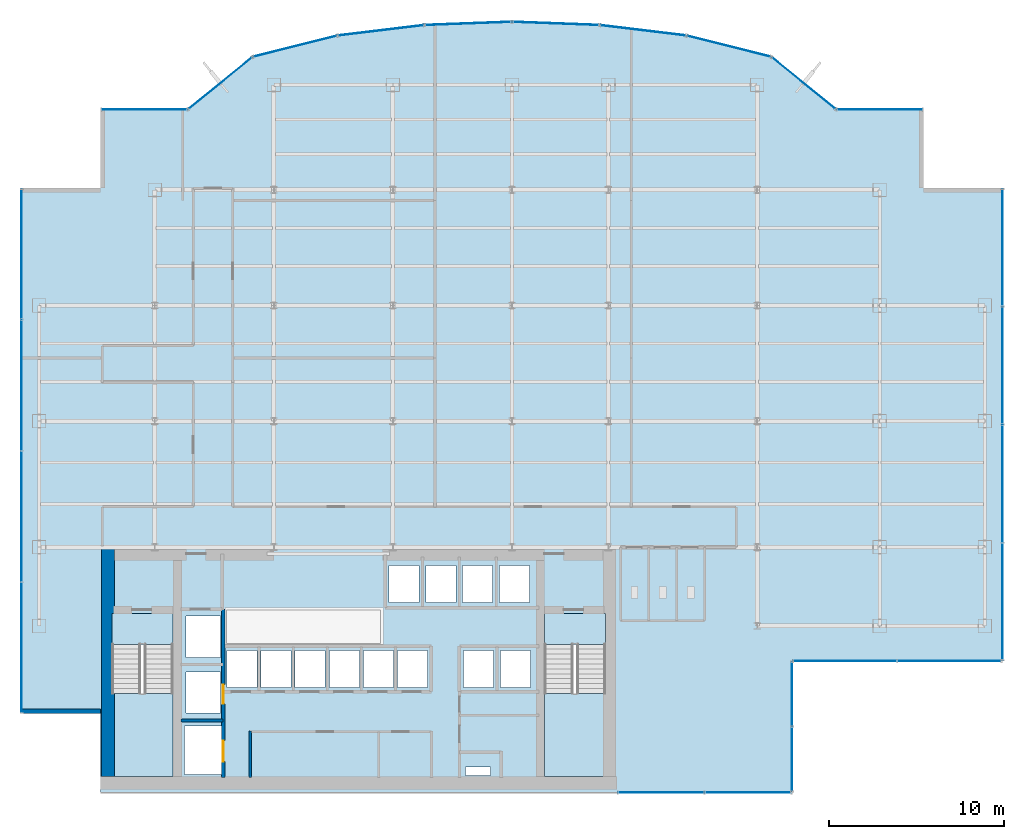
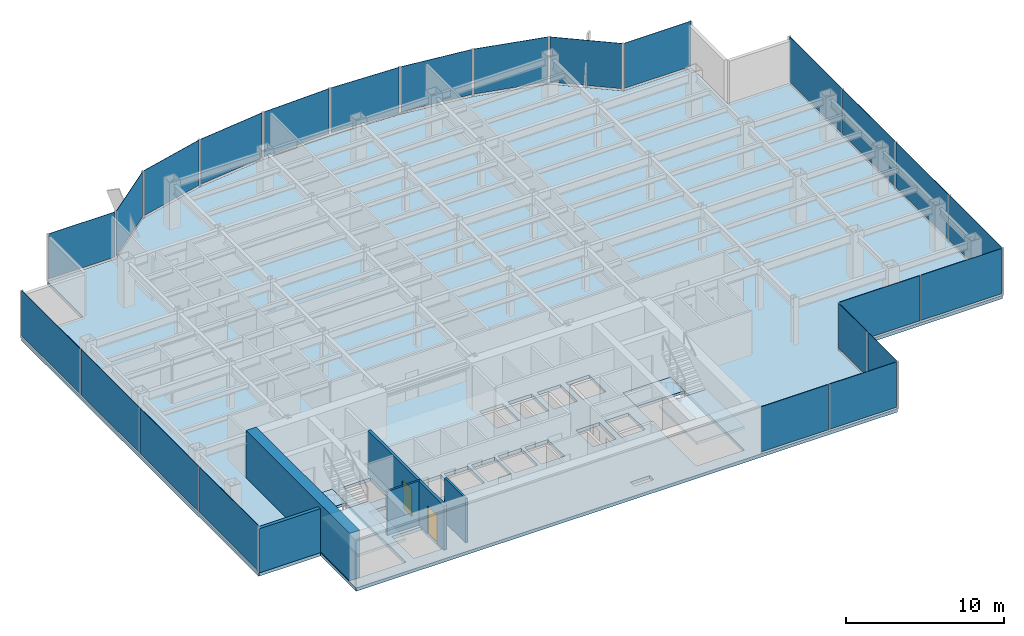
# One storey, part 20 of 26: 24 plates, 5 slabs, 5 walls, 2 doors, 2 openings, 17 elements without a shape of their own.
"""IFC4 building model written with IfcOpenShell, lengths in metres."""

from ifc_helpers import new_model, si_unit, derived_unit, direction, frame, frame_2d, origin, origin_2d, place, context, subcontext, project, spatial, polyline, rectangle, outline, extrude, source, transform, mapped, material, layer, layer_set, type_object, element, fill, aggregate, save


model = new_model("IFC4")

# Units and contexts
model_context = context("Model", 3, precision=1e-05, world=origin(), true_north=direction((0.0, 1.0)))
body_context = subcontext(model_context, "Body", "Model", "MODEL_VIEW")
ifc_project = project(units=[si_unit("LENGTHUNIT", "METRE"), si_unit("AREAUNIT", "SQUARE_METRE"), si_unit("VOLUMEUNIT", "CUBIC_METRE"), si_unit("PLANEANGLEUNIT", "RADIAN"), si_unit("MASSUNIT", "GRAM", prefix="KILO"), derived_unit("THERMALTRANSMITTANCEUNIT", [(si_unit("POWERUNIT", "WATT"), 1), (si_unit("LENGTHUNIT", "METRE"), -2), (si_unit("THERMODYNAMICTEMPERATUREUNIT", "KELVIN"), -1)])], contexts=[model_context])

# Site, building, storey
site_placement = place(None, origin())
site = spatial("IfcSite", under=ifc_project, at=site_placement, CompositionType="ELEMENT")
building_placement = place(site_placement, origin())
building = spatial("IfcBuilding", under=site, at=building_placement, Name="Skarnbrae Concourse Arena and Tower", CompositionType="ELEMENT")
storey_placement = place(building_placement, frame((0.0, 0.0, 106.89990234375)))
storey = spatial("IfcBuildingStorey", under=building, at=storey_placement, Name="L26", CompositionType="ELEMENT", Elevation=106.89990234375)

# Stair, slab
ifc_material_1 = material(Name="Concrete 40 MPa (C40/50)", Category="concrete")
stair_type = type_object("IfcStairType", Name="STAIR-DOGLEG-1650", PredefinedType="HALF_TURN_STAIR", material=ifc_material_1)
stair_1_placement = place(storey_placement, origin())
stair_1 = element("IfcStair", 1, at=stair_1_placement, inside=storey, type_object=stair_type, Name="L26 Protected Exit Stair ST-1", PredefinedType="HALF_TURN_STAIR")
ifc_layer_1 = layer(ifc_material_1, 0.199951171875)
ifc_layer_set_1 = layer_set([ifc_layer_1], Name="Concrete 40 MPa (C40/50)")
slab_type_1 = type_object("IfcSlabType", Name="SLAB-LANDING-200", PredefinedType="LANDING", material=ifc_layer_set_1)
slab_1_placement = place(storey_placement, frame((0.0, 0.0, 1.625)))
slab_1 = element("IfcSlab", 2, at=slab_1_placement, type_object=slab_type_1, Name="ST-1 landing 1", PredefinedType="LANDING", context=body_context, shape_type="SweptSolid", body=[
    extrude(outline(polyline([(5.14990234375, 5.64990234375), (5.14990234375, 0.89990234375), (8.64990234375, 0.89990234375), (8.64990234375, 5.64990234375), (5.14990234375, 5.64990234375)])), origin(), (0.0, 0.0, 1.0), 0.2001953125),
])
aggregate(stair_1, [slab_1])

stair_2_placement = place(storey_placement, origin())
stair_2 = element("IfcStair", 3, at=stair_2_placement, inside=storey, type_object=stair_type, Name="L26 Protected Exit Stair ST-2", PredefinedType="HALF_TURN_STAIR")
slab_2_placement = place(storey_placement, frame((0.0, 0.0, 1.625)))
slab_2 = element("IfcSlab", 4, at=slab_2_placement, type_object=slab_type_1, Name="ST-2 landing 1", PredefinedType="LANDING", context=body_context, shape_type="SweptSolid", body=[
    extrude(outline(polyline([(29.85009765625, 5.64990234375), (29.85009765625, 0.89990234375), (33.35009765625, 0.89990234375), (33.35009765625, 5.64990234375), (29.85009765625, 5.64990234375)])), origin(), (0.0, 0.0, 1.0), 0.2001953125),
])
aggregate(stair_2, [slab_2])

# Slabs
slab_3_placement = place(storey_placement, frame((0.0, 0.0, -0.199951171875)))
element("IfcSlab", 5, at=slab_3_placement, inside=storey, type_object=slab_type_1, Name="L26 Core stair ST1 floor landing", PredefinedType="LANDING", context=body_context, shape_type="SweptSolid", body=[
    extrude(outline(polyline([(5.14990234375, 10.199951171875), (5.14990234375, 8.449951171875), (8.64990234375, 8.449951171875), (8.64990234375, 10.199951171875), (5.14990234375, 10.199951171875)])), origin(), (0.0, 0.0, 1.0), 0.199951171875),
])
slab_4_placement = place(storey_placement, frame((0.0, 0.0, -0.199951171875)))
element("IfcSlab", 6, at=slab_4_placement, inside=storey, type_object=slab_type_1, Name="L26 Core stair ST2 floor landing", PredefinedType="LANDING", context=body_context, shape_type="SweptSolid", body=[
    extrude(outline(polyline([(29.85009765625, 10.199951171875), (29.85009765625, 8.449951171875), (33.35009765625, 8.449951171875), (33.35009765625, 10.199951171875), (29.85009765625, 10.199951171875)])), origin(), (0.0, 0.0, 1.0), 0.199951171875),
])
ifc_layer_2 = layer(ifc_material_1, 0.25)
ifc_layer_set_2 = layer_set([ifc_layer_2], Name="Concrete 40 MPa (C40/50)")
slab_type_2 = type_object("IfcSlabType", Name="SLAB-TOWER-250", PredefinedType="FLOOR", material=ifc_layer_set_2)
slab_5_placement = place(storey_placement, frame((0.0, 0.0, -0.25)))
element("IfcSlab", 7, at=slab_5_placement, inside=storey, type_object=slab_type_2, Name="L26 Structural floor slab", PredefinedType="FLOOR", context=body_context, shape_type="SweptSolid", body=[
    extrude(outline(polyline([(4.5, 0.0), (44.0, 0.0), (44.0, 7.5), (56.0, 7.5), (56.0, 34.5), (51.5, 34.5), (51.5, 39.0), (46.5, 39.0), (42.81103515625, 41.99609375), (37.964111328125, 43.212890625), (32.998779296875, 43.81396484375), (28.0, 44.0), (23.001220703125, 43.81396484375), (18.035888671875, 43.212890625), (13.18896484375, 41.99609375), (9.5, 39.0), (4.5, 39.0), (4.5, 34.5), (0.0, 34.5), (0.0, 4.5), (4.5, 4.5), (4.5, 0.0)]), holes=[polyline([(9.294921875, 3.780029296875), (11.455078125, 3.780029296875), (11.455078125, 1.02001953125), (9.294921875, 1.02001953125), (9.294921875, 3.780029296875)]), polyline([(8.64990234375, 10.199951171875), (8.64990234375, 0.89990234375), (5.14990234375, 0.89990234375), (5.14990234375, 10.199951171875), (8.64990234375, 10.199951171875)]), polyline([(9.39501953125, 6.8798828125), (11.35498046875, 6.8798828125), (11.35498046875, 4.52001953125), (9.39501953125, 4.52001953125), (9.39501953125, 6.8798828125)]), polyline([(11.719970703125, 8.10498046875), (13.429931640625, 8.10498046875), (13.429931640625, 5.9951171875), (11.719970703125, 5.9951171875), (11.719970703125, 8.10498046875)]), polyline([(13.669921875, 8.10498046875), (15.3798828125, 8.10498046875), (15.3798828125, 5.9951171875), (13.669921875, 5.9951171875), (13.669921875, 8.10498046875)]), polyline([(15.6201171875, 8.10498046875), (17.330078125, 8.10498046875), (17.330078125, 5.9951171875), (15.6201171875, 5.9951171875), (15.6201171875, 8.10498046875)]), polyline([(17.570068359375, 8.10498046875), (19.280029296875, 8.10498046875), (19.280029296875, 5.9951171875), (17.570068359375, 5.9951171875), (17.570068359375, 8.10498046875)]), polyline([(21.22998046875, 8.10498046875), (21.22998046875, 5.9951171875), (19.52001953125, 5.9951171875), (19.52001953125, 8.10498046875), (21.22998046875, 8.10498046875)]), polyline([(11.35498046875, 10.054931640625), (11.35498046875, 7.695068359375), (9.39501953125, 7.695068359375), (9.39501953125, 10.054931640625), (11.35498046875, 10.054931640625)]), polyline([(25.35009765625, 1.449951171875), (26.760009765625, 1.449951171875), (26.760009765625, 0.949951171875), (25.35009765625, 0.949951171875), (25.35009765625, 1.449951171875)]), polyline([(33.35009765625, 10.199951171875), (33.35009765625, 0.89990234375), (29.85009765625, 0.89990234375), (29.85009765625, 10.199951171875), (33.35009765625, 10.199951171875)]), polyline([(21.469970703125, 8.10498046875), (23.179931640625, 8.10498046875), (23.179931640625, 5.9951171875), (21.469970703125, 5.9951171875), (21.469970703125, 8.10498046875)]), polyline([(25.235107421875, 8.10498046875), (26.945068359375, 8.10498046875), (26.945068359375, 5.9951171875), (25.235107421875, 5.9951171875), (25.235107421875, 8.10498046875)]), polyline([(27.3349609375, 8.10498046875), (29.044921875, 8.10498046875), (29.044921875, 5.9951171875), (27.3349609375, 5.9951171875), (27.3349609375, 8.10498046875)]), polyline([(20.985107421875, 12.955078125), (22.695068359375, 12.955078125), (22.695068359375, 10.844970703125), (20.985107421875, 10.844970703125), (20.985107421875, 12.955078125)]), polyline([(23.0849609375, 12.955078125), (24.794921875, 12.955078125), (24.794921875, 10.844970703125), (23.0849609375, 10.844970703125), (23.0849609375, 12.955078125)]), polyline([(26.89501953125, 12.955078125), (26.89501953125, 10.844970703125), (25.18505859375, 10.844970703125), (25.18505859375, 12.955078125), (26.89501953125, 12.955078125)]), polyline([(28.9951171875, 12.955078125), (28.9951171875, 10.844970703125), (27.284912109375, 10.844970703125), (27.284912109375, 12.955078125), (28.9951171875, 12.955078125)])]), origin(), (0.0, 0.0, 1.0), 0.25),
])

# Curtain wall, plates
ifc_material_2 = material(Name="Bronze anodised aluminium 6063-T6", Category="aluminium")
curtain_wall_type_1 = type_object("IfcCurtainWallType", Name="CW-SYS-04-MIDZONE", PredefinedType="USERDEFINED", material=ifc_material_2)
curtain_wall_1_placement = place(storey_placement, origin())
curtain_wall_1 = element("IfcCurtainWall", 8, at=curtain_wall_1_placement, inside=storey, type_object=curtain_wall_type_1, Name="L26 Unitised curtain wall CW-L26-SE-SPINE", ObjectType="UNITISED CURTAIN WALL", PredefinedType="USERDEFINED")
ifc_material_3 = material(Name="Low-E triple insulating glass", Category="glass")
ifc_layer_3 = layer(ifc_material_3, 0.031982421875)
ifc_layer_set_3 = layer_set([ifc_layer_3], Name="Low-E triple insulating glass")
plate_type_1 = type_object("IfcPlateType", Name="CWP-CW-04", PredefinedType="CURTAIN_PANEL", material=ifc_layer_set_3)
shared_shape_1 = source(origin(), body_context, "Body", "SweptSolid", [
    extrude(rectangle(XDim=4.887451171875, YDim=0.031982421875, at=origin_2d()), origin(), (0.0, 0.0, 1.0), 3.489990234375),
])
plate_1_placement = place(storey_placement, frame((36.518798828125, 0.0, 0.16015625), z_axis=(0.0, 0.0, 1.0), x_axis=(1.0, 0.0, 0.0)))
plate_1 = element("IfcPlate", 9, at=plate_1_placement, type_object=plate_type_1, Name="CW-L26-SE-SPINE Low-E Glazing Panel 1", PredefinedType="CURTAIN_PANEL", context=body_context, shape_type="MappedRepresentation", body=[
    mapped(shared_shape_1, transform((0.0, 0.0, 0.0))),
])
plate_2_placement = place(storey_placement, frame((41.481201171875, 0.0, 0.16015625), z_axis=(0.0, 0.0, 1.0), x_axis=(1.0, 0.0, 0.0)))
plate_2 = element("IfcPlate", 10, at=plate_2_placement, type_object=plate_type_1, Name="CW-L26-SE-SPINE Low-E Glazing Panel 2", PredefinedType="CURTAIN_PANEL", context=body_context, shape_type="MappedRepresentation", body=[
    mapped(shared_shape_1, transform((0.0, 0.0, 0.0))),
])
aggregate(curtain_wall_1, [plate_1, plate_2])

curtain_wall_2_placement = place(storey_placement, origin())
curtain_wall_2 = element("IfcCurtainWall", 11, at=curtain_wall_2_placement, inside=storey, type_object=curtain_wall_type_1, Name="L26 Unitised curtain wall CW-L26-E02", ObjectType="UNITISED CURTAIN WALL", PredefinedType="USERDEFINED")
shared_shape_2 = source(origin(), body_context, "Body", "SweptSolid", [
    extrude(rectangle(XDim=3.637451171875, YDim=0.031982421875, at=origin_2d()), origin(), (0.0, 0.0, 1.0), 3.489990234375),
])
plate_3_placement = place(storey_placement, frame((44.0, 1.893798828125, 0.16015625), z_axis=(0.0, 0.0, 1.0), x_axis=(0.0, 1.0, 0.0)))
plate_3 = element("IfcPlate", 12, at=plate_3_placement, type_object=plate_type_1, Name="CW-L26-E02 Low-E Glazing Panel 1", PredefinedType="CURTAIN_PANEL", context=body_context, shape_type="MappedRepresentation", body=[
    mapped(shared_shape_2, transform((0.0, 0.0, 0.0))),
])
plate_4_placement = place(storey_placement, frame((44.0, 5.606201171875, 0.16015625), z_axis=(0.0, 0.0, 1.0), x_axis=(0.0, 1.0, 0.0)))
plate_4 = element("IfcPlate", 13, at=plate_4_placement, type_object=plate_type_1, Name="CW-L26-E02 Low-E Glazing Panel 2", PredefinedType="CURTAIN_PANEL", context=body_context, shape_type="MappedRepresentation", body=[
    mapped(shared_shape_2, transform((0.0, 0.0, 0.0))),
])
aggregate(curtain_wall_2, [plate_3, plate_4])

curtain_wall_3_placement = place(storey_placement, origin())
curtain_wall_3 = element("IfcCurtainWall", 14, at=curtain_wall_3_placement, inside=storey, type_object=curtain_wall_type_1, Name="L26 Unitised curtain wall CW-L26-E03", ObjectType="UNITISED CURTAIN WALL", PredefinedType="USERDEFINED")
shared_shape_3 = source(origin(), body_context, "Body", "SweptSolid", [
    extrude(rectangle(XDim=5.887451171875, YDim=0.031982421875, at=origin_2d()), origin(), (0.0, 0.0, 1.0), 3.489990234375),
])
plate_5_placement = place(storey_placement, frame((47.018798828125, 7.5, 0.16015625), z_axis=(0.0, 0.0, 1.0), x_axis=(1.0, 0.0, 0.0)))
plate_5 = element("IfcPlate", 15, at=plate_5_placement, type_object=plate_type_1, Name="CW-L26-E03 Low-E Glazing Panel 1", PredefinedType="CURTAIN_PANEL", context=body_context, shape_type="MappedRepresentation", body=[
    mapped(shared_shape_3, transform((0.0, 0.0, 0.0))),
])
plate_6_placement = place(storey_placement, frame((52.981201171875, 7.5, 0.16015625), z_axis=(0.0, 0.0, 1.0), x_axis=(1.0, 0.0, 0.0)))
plate_6 = element("IfcPlate", 16, at=plate_6_placement, type_object=plate_type_1, Name="CW-L26-E03 Low-E Glazing Panel 2", PredefinedType="CURTAIN_PANEL", context=body_context, shape_type="MappedRepresentation", body=[
    mapped(shared_shape_3, transform((0.0, 0.0, 0.0))),
])
aggregate(curtain_wall_3, [plate_5, plate_6])

# Curtain wall, plate
curtain_wall_4_placement = place(storey_placement, origin())
curtain_wall_4 = element("IfcCurtainWall", 17, at=curtain_wall_4_placement, inside=storey, type_object=curtain_wall_type_1, Name="L26 Unitised curtain wall CW-L26-E07", ObjectType="UNITISED CURTAIN WALL", PredefinedType="USERDEFINED")
shared_shape_4 = source(origin(), body_context, "Body", "SweptSolid", [
    extrude(rectangle(XDim=4.85009765625, YDim=0.031982421875, at=origin_2d()), origin(), (0.0, 0.0, 1.0), 3.489990234375),
])
plate_7_placement = place(storey_placement, frame((49.0, 39.0, 0.16015625), z_axis=(0.0, 0.0, 1.0), x_axis=(-1.0, 0.0, 0.0)))
plate_7 = element("IfcPlate", 18, at=plate_7_placement, type_object=plate_type_1, Name="CW-L26-E07 Low-E Glazing Panel 1", PredefinedType="CURTAIN_PANEL", context=body_context, shape_type="MappedRepresentation", body=[
    mapped(shared_shape_4, transform((0.0, 0.0, 0.0))),
])
aggregate(curtain_wall_4, [plate_7])

curtain_wall_5_placement = place(storey_placement, origin())
curtain_wall_5 = element("IfcCurtainWall", 19, at=curtain_wall_5_placement, inside=storey, type_object=curtain_wall_type_1, Name="L26 Unitised curtain wall CW-L26-E16", ObjectType="UNITISED CURTAIN WALL", PredefinedType="USERDEFINED")
plate_8_placement = place(storey_placement, frame((7.0, 39.0, 0.16015625), z_axis=(0.0, 0.0, 1.0), x_axis=(-1.0, 0.0, 0.0)))
plate_8 = element("IfcPlate", 20, at=plate_8_placement, type_object=plate_type_1, Name="CW-L26-E16 Low-E Glazing Panel 1", PredefinedType="CURTAIN_PANEL", context=body_context, shape_type="MappedRepresentation", body=[
    mapped(shared_shape_4, transform((0.0, 0.0, 0.0))),
])
aggregate(curtain_wall_5, [plate_8])

curtain_wall_6_placement = place(storey_placement, origin())
curtain_wall_6 = element("IfcCurtainWall", 21, at=curtain_wall_6_placement, inside=storey, type_object=curtain_wall_type_1, Name="L26 Unitised curtain wall CW-L26-E08", ObjectType="UNITISED CURTAIN WALL", PredefinedType="USERDEFINED")
shared_shape_5 = source(origin(), body_context, "Body", "SweptSolid", [
    extrude(rectangle(XDim=4.602294921875, YDim=0.031982421875, at=origin_2d()), origin(), (0.0, 0.0, 1.0), 3.489990234375),
])
plate_9_placement = place(storey_placement, frame((44.655517578125, 40.498046875, 0.16015625), z_axis=(0.0, 0.0, 1.0), x_axis=(-0.776241200471, 0.630436038542, 0.0)))
plate_9 = element("IfcPlate", 22, at=plate_9_placement, type_object=plate_type_1, Name="CW-L26-E08 Low-E Glazing Panel 1", PredefinedType="CURTAIN_PANEL", context=body_context, shape_type="MappedRepresentation", body=[
    mapped(shared_shape_5, transform((0.0, 0.0, 0.0))),
])
aggregate(curtain_wall_6, [plate_9])

curtain_wall_7_placement = place(storey_placement, origin())
curtain_wall_7 = element("IfcCurtainWall", 23, at=curtain_wall_7_placement, inside=storey, type_object=curtain_wall_type_1, Name="L26 Unitised curtain wall CW-L26-E15", ObjectType="UNITISED CURTAIN WALL", PredefinedType="USERDEFINED")
plate_10_placement = place(storey_placement, frame((11.344482421875, 40.498046875, 0.16015625), z_axis=(0.0, 0.0, 1.0), x_axis=(-0.776241200471, -0.630436038542, 0.0)))
plate_10 = element("IfcPlate", 24, at=plate_10_placement, type_object=plate_type_1, Name="CW-L26-E15 Low-E Glazing Panel 1", PredefinedType="CURTAIN_PANEL", context=body_context, shape_type="MappedRepresentation", body=[
    mapped(shared_shape_5, transform((0.0, 0.0, 0.0))),
])
aggregate(curtain_wall_7, [plate_10])

# Curtain wall, plates
curtain_wall_8_placement = place(storey_placement, origin())
curtain_wall_8 = element("IfcCurtainWall", 25, at=curtain_wall_8_placement, inside=storey, type_object=curtain_wall_type_1, Name="L26 Unitised curtain wall CW-L26-E19", ObjectType="UNITISED CURTAIN WALL", PredefinedType="USERDEFINED")
shared_shape_6 = source(origin(), body_context, "Body", "SweptSolid", [
    extrude(rectangle(XDim=7.387451171875, YDim=0.031982421875, at=origin_2d()), origin(), (0.0, 0.0, 1.0), 3.489990234375),
])
plate_11_placement = place(storey_placement, frame((0.0, 30.731201171875, 0.16015625), z_axis=(0.0, 0.0, 1.0), x_axis=(0.0, -1.0, 0.0)))
plate_11 = element("IfcPlate", 26, at=plate_11_placement, type_object=plate_type_1, Name="CW-L26-E19 Low-E Glazing Panel 1", PredefinedType="CURTAIN_PANEL", context=body_context, shape_type="MappedRepresentation", body=[
    mapped(shared_shape_6, transform((0.0, 0.0, 0.0))),
])
plate_12_placement = place(storey_placement, frame((0.0, 8.268798828125, 0.16015625), z_axis=(0.0, 0.0, 1.0), x_axis=(0.0, -1.0, 0.0)))
plate_12 = element("IfcPlate", 27, at=plate_12_placement, type_object=plate_type_1, Name="CW-L26-E19 Low-E Glazing Panel 4", PredefinedType="CURTAIN_PANEL", context=body_context, shape_type="MappedRepresentation", body=[
    mapped(shared_shape_6, transform((0.0, 0.0, 0.0))),
])
shared_shape_7 = source(origin(), body_context, "Body", "SweptSolid", [
    extrude(rectangle(XDim=7.425048828125, YDim=0.031982421875, at=origin_2d()), origin(), (0.0, 0.0, 1.0), 3.489990234375),
])
plate_13_placement = place(storey_placement, frame((0.0, 23.25, 0.16015625), z_axis=(0.0, 0.0, 1.0), x_axis=(0.0, -1.0, 0.0)))
plate_13 = element("IfcPlate", 28, at=plate_13_placement, type_object=plate_type_1, Name="CW-L26-E19 Low-E Glazing Panel 2", PredefinedType="CURTAIN_PANEL", context=body_context, shape_type="MappedRepresentation", body=[
    mapped(shared_shape_7, transform((0.0, 0.0, 0.0))),
])
plate_14_placement = place(storey_placement, frame((0.0, 15.75, 0.16015625), z_axis=(0.0, 0.0, 1.0), x_axis=(0.0, -1.0, 0.0)))
plate_14 = element("IfcPlate", 29, at=plate_14_placement, type_object=plate_type_1, Name="CW-L26-E19 Low-E Glazing Panel 3", PredefinedType="CURTAIN_PANEL", context=body_context, shape_type="MappedRepresentation", body=[
    mapped(shared_shape_7, transform((0.0, 0.0, 0.0))),
])
aggregate(curtain_wall_8, [plate_11, plate_13, plate_14, plate_12])

curtain_wall_9_placement = place(storey_placement, origin())
curtain_wall_9 = element("IfcCurtainWall", 30, at=curtain_wall_9_placement, inside=storey, type_object=curtain_wall_type_1, Name="L26 Unitised curtain wall CW-L26-E04", ObjectType="UNITISED CURTAIN WALL", PredefinedType="USERDEFINED")
shared_shape_8 = source(origin(), body_context, "Body", "SweptSolid", [
    extrude(rectangle(XDim=6.637451171875, YDim=0.031982421875, at=origin_2d()), origin(), (0.0, 0.0, 1.0), 3.489990234375),
])
plate_15_placement = place(storey_placement, frame((56.0, 10.893798828125, 0.16015625), z_axis=(0.0, 0.0, 1.0), x_axis=(0.0, 1.0, 0.0)))
plate_15 = element("IfcPlate", 31, at=plate_15_placement, type_object=plate_type_1, Name="CW-L26-E04 Low-E Glazing Panel 1", PredefinedType="CURTAIN_PANEL", context=body_context, shape_type="MappedRepresentation", body=[
    mapped(shared_shape_8, transform((0.0, 0.0, 0.0))),
])
plate_16_placement = place(storey_placement, frame((56.0, 31.106201171875, 0.16015625), z_axis=(0.0, 0.0, 1.0), x_axis=(0.0, 1.0, 0.0)))
plate_16 = element("IfcPlate", 32, at=plate_16_placement, type_object=plate_type_1, Name="CW-L26-E04 Low-E Glazing Panel 4", PredefinedType="CURTAIN_PANEL", context=body_context, shape_type="MappedRepresentation", body=[
    mapped(shared_shape_8, transform((0.0, 0.0, 0.0))),
])
shared_shape_9 = source(origin(), body_context, "Body", "SweptSolid", [
    extrude(rectangle(XDim=6.675048828125, YDim=0.031982421875, at=origin_2d()), origin(), (0.0, 0.0, 1.0), 3.489990234375),
])
plate_17_placement = place(storey_placement, frame((56.0, 17.625, 0.16015625), z_axis=(0.0, 0.0, 1.0), x_axis=(0.0, 1.0, 0.0)))
plate_17 = element("IfcPlate", 33, at=plate_17_placement, type_object=plate_type_1, Name="CW-L26-E04 Low-E Glazing Panel 2", PredefinedType="CURTAIN_PANEL", context=body_context, shape_type="MappedRepresentation", body=[
    mapped(shared_shape_9, transform((0.0, 0.0, 0.0))),
])
plate_18_placement = place(storey_placement, frame((56.0, 24.375, 0.16015625), z_axis=(0.0, 0.0, 1.0), x_axis=(0.0, 1.0, 0.0)))
plate_18 = element("IfcPlate", 34, at=plate_18_placement, type_object=plate_type_1, Name="CW-L26-E04 Low-E Glazing Panel 3", PredefinedType="CURTAIN_PANEL", context=body_context, shape_type="MappedRepresentation", body=[
    mapped(shared_shape_9, transform((0.0, 0.0, 0.0))),
])
aggregate(curtain_wall_9, [plate_15, plate_17, plate_18, plate_16])

# Curtain wall, plate
curtain_wall_type_2 = type_object("IfcCurtainWallType", Name="CW-SYS-03-PORTAL", PredefinedType="USERDEFINED", material=ifc_material_2)
curtain_wall_10_placement = place(storey_placement, origin())
curtain_wall_10 = element("IfcCurtainWall", 35, at=curtain_wall_10_placement, inside=storey, type_object=curtain_wall_type_2, Name="L26 Unitised curtain wall CW-L26-E09", ObjectType="UNITISED CURTAIN WALL", PredefinedType="USERDEFINED")
ifc_layer_4 = layer(ifc_material_3, 0.033935546875)
ifc_layer_set_4 = layer_set([ifc_layer_4], Name="Low-E triple insulating glass")
plate_type_2 = type_object("IfcPlateType", Name="CWP-CW-03", PredefinedType="CURTAIN_PANEL", material=ifc_layer_set_4)
shared_shape_10 = source(origin(), body_context, "Body", "SweptSolid", [
    extrude(rectangle(XDim=4.83740234375, YDim=0.033935546875, at=origin_2d()), origin(), (0.0, 0.0, 1.0), 3.47998046875),
])
plate_19_placement = place(storey_placement, frame((40.3876953125, 42.6044921875, 0.170166015625), z_axis=(0.0, 0.0, 1.0), x_axis=(-0.969903046166, 0.243491439351, 0.0)))
plate_19 = element("IfcPlate", 36, at=plate_19_placement, type_object=plate_type_2, Name="CW-L26-E09 Low-E Glazing Panel 1", PredefinedType="CURTAIN_PANEL", context=body_context, shape_type="MappedRepresentation", body=[
    mapped(shared_shape_10, transform((0.0, 0.0, 0.0))),
])
aggregate(curtain_wall_10, [plate_19])

curtain_wall_11_placement = place(storey_placement, origin())
curtain_wall_11 = element("IfcCurtainWall", 37, at=curtain_wall_11_placement, inside=storey, type_object=curtain_wall_type_2, Name="L26 Unitised curtain wall CW-L26-E14", ObjectType="UNITISED CURTAIN WALL", PredefinedType="USERDEFINED")
plate_20_placement = place(storey_placement, frame((15.6123046875, 42.6044921875, 0.170166015625), z_axis=(0.0, 0.0, 1.0), x_axis=(-0.969903046166, -0.243491439351, 0.0)))
plate_20 = element("IfcPlate", 38, at=plate_20_placement, type_object=plate_type_2, Name="CW-L26-E14 Low-E Glazing Panel 1", PredefinedType="CURTAIN_PANEL", context=body_context, shape_type="MappedRepresentation", body=[
    mapped(shared_shape_10, transform((0.0, 0.0, 0.0))),
])
aggregate(curtain_wall_11, [plate_20])

curtain_wall_12_placement = place(storey_placement, origin())
curtain_wall_12 = element("IfcCurtainWall", 39, at=curtain_wall_12_placement, inside=storey, type_object=curtain_wall_type_2, Name="L26 Unitised curtain wall CW-L26-E10", ObjectType="UNITISED CURTAIN WALL", PredefinedType="USERDEFINED")
shared_shape_11 = source(origin(), body_context, "Body", "SweptSolid", [
    extrude(rectangle(XDim=4.841552734375, YDim=0.033935546875, at=origin_2d()), origin(), (0.0, 0.0, 1.0), 3.47998046875),
])
plate_21_placement = place(storey_placement, frame((35.4814453125, 43.513427734375, 0.170166015625), z_axis=(0.0, 0.0, 1.0), x_axis=(-0.992749371969, 0.120202680731, 0.0)))
plate_21 = element("IfcPlate", 40, at=plate_21_placement, type_object=plate_type_2, Name="CW-L26-E10 Low-E Glazing Panel 1", PredefinedType="CURTAIN_PANEL", context=body_context, shape_type="MappedRepresentation", body=[
    mapped(shared_shape_11, transform((0.0, 0.0, 0.0))),
])
aggregate(curtain_wall_12, [plate_21])

curtain_wall_13_placement = place(storey_placement, origin())
curtain_wall_13 = element("IfcCurtainWall", 41, at=curtain_wall_13_placement, inside=storey, type_object=curtain_wall_type_2, Name="L26 Unitised curtain wall CW-L26-E13", ObjectType="UNITISED CURTAIN WALL", PredefinedType="USERDEFINED")
plate_22_placement = place(storey_placement, frame((20.5185546875, 43.513427734375, 0.170166015625), z_axis=(0.0, 0.0, 1.0), x_axis=(-0.992749371969, -0.120202680731, 0.0)))
plate_22 = element("IfcPlate", 42, at=plate_22_placement, type_object=plate_type_2, Name="CW-L26-E13 Low-E Glazing Panel 1", PredefinedType="CURTAIN_PANEL", context=body_context, shape_type="MappedRepresentation", body=[
    mapped(shared_shape_11, transform((0.0, 0.0, 0.0))),
])
aggregate(curtain_wall_13, [plate_22])

curtain_wall_14_placement = place(storey_placement, origin())
curtain_wall_14 = element("IfcCurtainWall", 43, at=curtain_wall_14_placement, inside=storey, type_object=curtain_wall_type_2, Name="L26 Unitised curtain wall CW-L26-E11", ObjectType="UNITISED CURTAIN WALL", PredefinedType="USERDEFINED")
shared_shape_12 = source(origin(), body_context, "Body", "SweptSolid", [
    extrude(rectangle(XDim=4.84228515625, YDim=0.033935546875, at=origin_2d()), origin(), (0.0, 0.0, 1.0), 3.47998046875),
])
plate_23_placement = place(storey_placement, frame((30.49951171875, 43.906982421875, 0.170166015625), z_axis=(0.0, 0.0, 1.0), x_axis=(-0.999308486252, 0.037182647889, 0.0)))
plate_23 = element("IfcPlate", 44, at=plate_23_placement, type_object=plate_type_2, Name="CW-L26-E11 Low-E Glazing Panel 1", PredefinedType="CURTAIN_PANEL", context=body_context, shape_type="MappedRepresentation", body=[
    mapped(shared_shape_12, transform((0.0, 0.0, 0.0))),
])
aggregate(curtain_wall_14, [plate_23])

curtain_wall_15_placement = place(storey_placement, origin())
curtain_wall_15 = element("IfcCurtainWall", 45, at=curtain_wall_15_placement, inside=storey, type_object=curtain_wall_type_2, Name="L26 Unitised curtain wall CW-L26-E12", ObjectType="UNITISED CURTAIN WALL", PredefinedType="USERDEFINED")
plate_24_placement = place(storey_placement, frame((25.50048828125, 43.906982421875, 0.170166015625), z_axis=(0.0, 0.0, 1.0), x_axis=(-0.999308486252, -0.037182647889, 0.0)))
plate_24 = element("IfcPlate", 46, at=plate_24_placement, type_object=plate_type_2, Name="CW-L26-E12 Low-E Glazing Panel 1", PredefinedType="CURTAIN_PANEL", context=body_context, shape_type="MappedRepresentation", body=[
    mapped(shared_shape_12, transform((0.0, 0.0, 0.0))),
])
aggregate(curtain_wall_15, [plate_24])

# Walls
ifc_material_4 = material(Name="Concrete 60 MPa (C60/75)", Category="concrete")
ifc_layer_5 = layer(ifc_material_4, 0.75)
ifc_layer_set_5 = layer_set([ifc_layer_5], Name="Concrete 60 MPa (C60/75)")
wall_type_1 = type_object("IfcWallType", Name="WALL-CORE-750-C60", PredefinedType="SHEAR", material=ifc_layer_set_5)
shared_shape_13 = source(origin(), body_context, "Body", "SweptSolid", [
    extrude(rectangle(XDim=13.10009765625, YDim=0.75, at=frame_2d((6.550048828125, 0.0))), origin(), (0.0, 0.0, 1.0), 3.650146484375),
])
wall_1_placement = place(storey_placement, frame((4.925048828125, 0.89990234375, 0.0), z_axis=(0.0, 0.0, 1.0), x_axis=(0.0, 1.0, 0.0)))
element("IfcWall", 47, at=wall_1_placement, inside=storey, type_object=wall_type_1, Name="L26 Rear core shear wall CW-W", PredefinedType="SHEAR", context=body_context, shape_type="MappedRepresentation", body=[
    mapped(shared_shape_13, transform((0.0, 0.0, 0.0))),
])
ifc_material_5 = material(Name="Precast concrete 40 MPa (C40/50)", Category="concrete")
ifc_layer_6 = layer(ifc_material_5, 0.25)
ifc_layer_set_6 = layer_set([ifc_layer_6], Name="Precast concrete 40 MPa (C40/50)")
wall_type_2 = type_object("IfcWallType", Name="WALL-EXT-SPANDREL-250", PredefinedType="STANDARD", material=ifc_layer_set_6)
shared_shape_14 = source(origin(), body_context, "Body", "SweptSolid", [
    extrude(rectangle(XDim=4.5, YDim=0.25, at=frame_2d((2.25, 0.0))), origin(), (0.0, 0.0, 1.0), 3.400146484375),
])
wall_2_placement = place(storey_placement, frame((0.0, 4.625, 0.0), z_axis=(0.0, 0.0, 1.0), x_axis=(1.0, 0.0, 0.0)))
element("IfcWall", 48, at=wall_2_placement, inside=storey, type_object=wall_type_2, Name="L26 Notched corner insulated return wall 20", PredefinedType="STANDARD", context=body_context, shape_type="MappedRepresentation", body=[
    mapped(shared_shape_14, transform((0.0, 0.0, 0.0))),
])

# Wall, openings, doors
ifc_material_6 = material(Name="Gypsum board on cold-formed steel studs", Category="steel")
ifc_layer_7 = layer(ifc_material_6, 0.199951171875)
ifc_layer_set_7 = layer_set([ifc_layer_7], Name="Gypsum board on cold-formed steel studs")
wall_type_3 = type_object("IfcWallType", Name="WALL-PART-200-2HR", PredefinedType="PARTITIONING", material=ifc_layer_set_7)
shared_shape_15 = source(origin(), body_context, "Body", "SweptSolid", [
    extrude(rectangle(XDim=9.599853515625, YDim=0.199951171875, at=frame_2d((4.7998046875, 0.0))), origin(), (0.0, 0.0, 1.0), 3.400146484375),
])
wall_3_placement = place(storey_placement, frame((11.5, 0.85009765625, 0.0), z_axis=(0.0, 0.0, 1.0), x_axis=(0.0, 1.0, 0.0)))
wall_3 = element("IfcWall", 49, at=wall_3_placement, inside=storey, type_object=wall_type_3, Name="L26 Interior partition wall W-L26-FL-E", PredefinedType="PARTITIONING", context=body_context, shape_type="MappedRepresentation", body=[
    mapped(shared_shape_15, transform((0.0, 0.0, 0.0))),
])
opening_1_placement = place(wall_3_placement, frame((4.199951171875, 0.0, 0.0)))
opening_1 = element("IfcOpeningElement", 50, at=opening_1_placement, cuts=wall_3, Name="Opening LD-01", PredefinedType="OPENING", context=body_context, shape_type="SweptSolid", body=[
    extrude(rectangle(XDim=1.10009765625, YDim=2.14990234375, at=frame_2d((0.550048828125, 1.074951171875))), frame((0.0, 0.10986328125, 0.0), z_axis=(0.0, -1.0, 0.0), x_axis=(1.0, 0.0, 0.0)), (0.0, 0.0, 1.0), 0.219970703125),
])
opening_2_placement = place(wall_3_placement, frame((0.89990234375, 0.0, 0.0)))
opening_2 = element("IfcOpeningElement", 51, at=opening_2_placement, cuts=wall_3, Name="Opening LD-02", PredefinedType="OPENING", context=body_context, shape_type="SweptSolid", body=[
    extrude(rectangle(XDim=1.199951171875, YDim=2.14990234375, at=frame_2d((0.60009765625, 1.074951171875))), frame((0.0, 0.10986328125, 0.0), z_axis=(0.0, -1.0, 0.0), x_axis=(1.0, 0.0, 0.0)), (0.0, 0.0, 1.0), 0.219970703125),
])
ifc_material_7 = material(Name="Steel CSA G40.21 350W", Category="steel")
door_type_1 = type_object("IfcDoorType", Name="DOOR-LIFT-SLIDE-1100", OperationType="SLIDING_TO_LEFT", PredefinedType="DOOR", material=ifc_material_7)
shared_shape_16 = source(origin(), body_context, "Body", "SweptSolid", [
    extrude(rectangle(XDim=1.10009765625, YDim=2.14990234375, at=frame_2d((0.550048828125, 1.074951171875))), frame((0.0, 0.02490234375, 0.0), z_axis=(0.0, -1.0, 0.0), x_axis=(1.0, 0.0, 0.0)), (0.0, 0.0, 1.0), 0.050048828125),
])
door_1_placement = place(opening_1_placement, frame((1.10009765625, 0.0, 0.0), z_axis=(0.0, 0.0, 1.0), x_axis=(-1.0, 0.0, 0.0)))
door_1 = element("IfcDoor", 52, at=door_1_placement, inside=storey, type_object=door_type_1, Name="D-0872 Firefighting Lift Landing Door FL-02", OperationType="SLIDING_TO_LEFT", OverallHeight=2.14990234375, OverallWidth=1.10009765625, PredefinedType="DOOR", context=body_context, shape_type="MappedRepresentation", body=[
    mapped(shared_shape_16, transform((0.0, 0.0, 0.0))),
])
fill(opening_1, door_1)
door_type_2 = type_object("IfcDoorType", Name="DOOR-LIFT-SLIDE-1200", OperationType="SLIDING_TO_LEFT", PredefinedType="DOOR", material=ifc_material_7)
shared_shape_17 = source(origin(), body_context, "Body", "SweptSolid", [
    extrude(rectangle(XDim=1.199951171875, YDim=2.14990234375, at=frame_2d((0.60009765625, 1.074951171875))), frame((0.0, 0.02490234375, 0.0), z_axis=(0.0, -1.0, 0.0), x_axis=(1.0, 0.0, 0.0)), (0.0, 0.0, 1.0), 0.050048828125),
])
door_2_placement = place(opening_2_placement, frame((1.199951171875, 0.0, 0.0), z_axis=(0.0, 0.0, 1.0), x_axis=(-1.0, 0.0, 0.0)))
door_2 = element("IfcDoor", 53, at=door_2_placement, inside=storey, type_object=door_type_2, Name="D-0873 Service Lift Landing Door SV-01", OperationType="SLIDING_TO_LEFT", OverallHeight=2.14990234375, OverallWidth=1.199951171875, PredefinedType="DOOR", context=body_context, shape_type="MappedRepresentation", body=[
    mapped(shared_shape_17, transform((0.0, 0.0, 0.0))),
])
fill(opening_2, door_2)

# Walls
ifc_layer_8 = layer(ifc_material_6, 0.14990234375)
ifc_layer_set_8 = layer_set([ifc_layer_8], Name="Gypsum board on cold-formed steel studs")
wall_type_4 = type_object("IfcWallType", Name="WALL-PART-150", PredefinedType="PARTITIONING", material=ifc_layer_set_8)
shared_shape_18 = source(origin(), body_context, "Body", "SweptSolid", [
    extrude(rectangle(XDim=2.39990234375, YDim=0.14990234375, at=frame_2d((1.199951171875, 0.0))), origin(), (0.0, 0.0, 1.0), 3.400146484375),
])
wall_4_placement = place(storey_placement, frame((9.10009765625, 4.10009765625, 0.0), z_axis=(0.0, 0.0, 1.0), x_axis=(1.0, 0.0, 0.0)))
element("IfcWall", 54, at=wall_4_placement, inside=storey, type_object=wall_type_4, Name="L26 Interior partition wall W-L26-FL-D1", PredefinedType="PARTITIONING", context=body_context, shape_type="MappedRepresentation", body=[
    mapped(shared_shape_18, transform((0.0, 0.0, 0.0))),
])
ifc_layer_9 = layer(ifc_material_6, 0.14990234375)
ifc_layer_set_9 = layer_set([ifc_layer_9], Name="Gypsum board on cold-formed steel studs")
wall_type_5 = type_object("IfcWallType", Name="WALL-PART-150-1HR", PredefinedType="PARTITIONING", material=ifc_layer_set_9)
shared_shape_19 = source(origin(), body_context, "Body", "SweptSolid", [
    extrude(rectangle(XDim=2.64990234375, YDim=0.14990234375, at=frame_2d((1.324951171875, 0.0))), origin(), (0.0, 0.0, 1.0), 3.400146484375),
])
wall_5_placement = place(storey_placement, frame((13.050048828125, 0.85009765625, 0.0), z_axis=(0.0, 0.0, 1.0), x_axis=(0.0, 1.0, 0.0)))
element("IfcWall", 55, at=wall_5_placement, inside=storey, type_object=wall_type_5, Name="L26 Interior partition wall W-L26-B1M-W", PredefinedType="PARTITIONING", context=body_context, shape_type="MappedRepresentation", body=[
    mapped(shared_shape_19, transform((0.0, 0.0, 0.0))),
])

save(model, "model.ifc")
